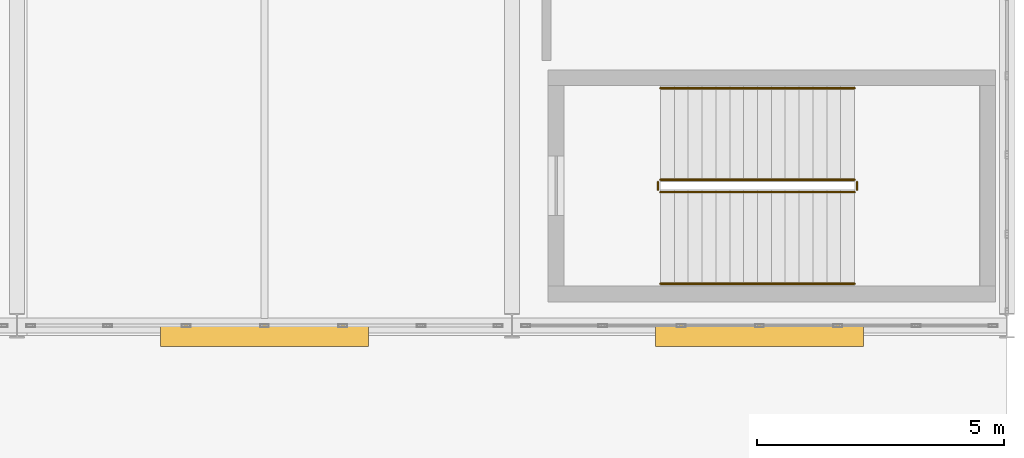
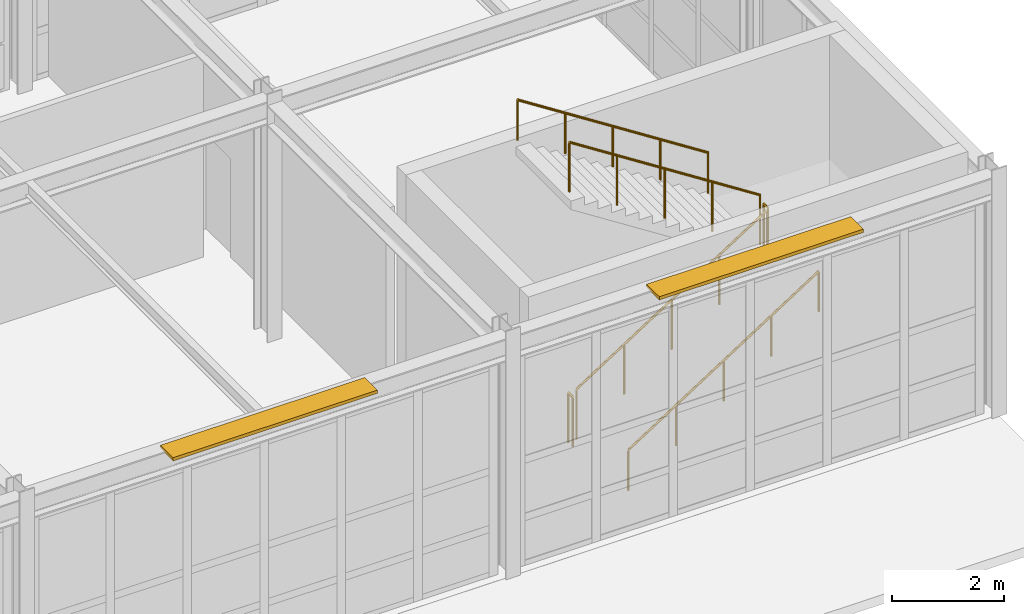
# One storey, part 205 of 210: 6 railings, 2 shading devices.
"""IFC4 building model written with IfcOpenShell, lengths in metres."""

from ifc_helpers import new_model, si_unit, direction, frame, origin, origin_2d, place, context, subcontext, project, spatial, rectangle, circle, extrude, material, type_object, element, save


model = new_model("IFC4")

# Units and contexts
model_context = context("Model", 3, precision=1e-05, world=origin(), true_north=direction((0.0, 1.0)))
body_context = subcontext(model_context, "Body", "Model", "MODEL_VIEW")
ifc_project = project(units=[si_unit("LENGTHUNIT", "METRE"), si_unit("AREAUNIT", "SQUARE_METRE"), si_unit("VOLUMEUNIT", "CUBIC_METRE"), si_unit("PLANEANGLEUNIT", "RADIAN"), si_unit("MASSUNIT", "GRAM", prefix="KILO")], contexts=[model_context])

# Site, building, storey
site_placement = place(None, origin())
site = spatial("IfcSite", under=ifc_project, at=site_placement, CompositionType="ELEMENT")
building_placement = place(site_placement, origin())
building = spatial("IfcBuilding", under=site, at=building_placement, Name="Kaldris Quays Convention Centre", CompositionType="ELEMENT")
storey_placement = place(building_placement, frame((0.0, 0.0, 6.0)))
storey = spatial("IfcBuildingStorey", under=building, at=storey_placement, Name="L01", CompositionType="ELEMENT", Elevation=6.0)

# Railings
ifc_material_1 = material(Name="Steel S355J2", Category="steel")
railing_type_1 = type_object("IfcRailingType", Name="INTERIOR GUARDRAIL GR01", PredefinedType="GUARDRAIL", material=ifc_material_1)
railing_1_placement = place(storey_placement, frame((197.0, 22.699951171875, 0.179931640625)))
element("IfcRailing", 1, at=railing_1_placement, inside=storey, type_object=railing_type_1, Name="L01 ST16 Stair Guardrail 1", PredefinedType="GUARDRAIL", context=body_context, shape_type="SweptSolid", body=[
    extrude(circle(Radius=0.02392578125, at=origin_2d()), frame((0.0, 0.0, 1.076171875), z_axis=(0.841171666519, 0.0, 0.540768182723), x_axis=(0.0, 1.0, 0.0)), (0.0, 0.0, 1.0), 4.66015625),
    extrude(circle(Radius=0.02099609375, at=origin_2d()), origin(), (0.0, 0.0, 1.0), 1.052001953125),
    extrude(circle(Radius=0.02099609375, at=origin_2d()), frame((0.97998046875, 0.0, 0.6298828125)), (0.0, 0.0, 1.0), 1.052001953125),
    extrude(circle(Radius=0.02099609375, at=origin_2d()), frame((1.9599609375, 0.0, 1.260009765625)), (0.0, 0.0, 1.0), 1.052001953125),
    extrude(circle(Radius=0.02099609375, at=origin_2d()), frame((2.93994140625, 0.0, 1.89013671875)), (0.0, 0.0, 1.0), 1.052001953125),
    extrude(circle(Radius=0.02099609375, at=origin_2d()), frame((3.919921875, 0.0, 2.52001953125)), (0.0, 0.0, 1.0), 1.052001953125),
])
railing_2_placement = place(storey_placement, frame((200.969970703125, 22.75, 2.699951171875)))
element("IfcRailing", 2, at=railing_2_placement, inside=storey, type_object=railing_type_1, Name="L01 ST16 Stair Guardrail 2", PredefinedType="GUARDRAIL", context=body_context, shape_type="SweptSolid", body=[
    extrude(circle(Radius=0.02392578125, at=origin_2d()), frame((0.0, 0.0, 1.076171875), z_axis=(0.0, 1.0, 0.0), x_axis=(-1.0, 0.0, 0.0)), (0.0, 0.0, 1.0), 0.14990234375),
    extrude(circle(Radius=0.02099609375, at=origin_2d()), origin(), (0.0, 0.0, 1.0), 1.052001953125),
    extrude(circle(Radius=0.02099609375, at=origin_2d()), frame((0.0, 0.14990234375, 0.0)), (0.0, 0.0, 1.0), 1.052001953125),
])
railing_3_placement = place(storey_placement, frame((200.919921875, 22.949951171875, 2.8798828125)))
element("IfcRailing", 3, at=railing_3_placement, inside=storey, type_object=railing_type_1, Name="L01 ST16 Stair Guardrail 3", PredefinedType="GUARDRAIL", context=body_context, shape_type="SweptSolid", body=[
    extrude(circle(Radius=0.02392578125, at=origin_2d()), frame((0.0, 0.0, 1.076171875), z_axis=(-0.841171666519, 0.0, 0.540768182723), x_axis=(0.0, -1.0, 0.0)), (0.0, 0.0, 1.0), 4.66015625),
    extrude(circle(Radius=0.02099609375, at=origin_2d()), origin(), (0.0, 0.0, 1.0), 1.052001953125),
    extrude(circle(Radius=0.02099609375, at=origin_2d()), frame((-0.97998046875, 0.0, 0.6298828125)), (0.0, 0.0, 1.0), 1.052001953125),
    extrude(circle(Radius=0.02099609375, at=origin_2d()), frame((-1.9599609375, 0.0, 1.260009765625)), (0.0, 0.0, 1.0), 1.052001953125),
    extrude(circle(Radius=0.02099609375, at=origin_2d()), frame((-2.93994140625, 0.0, 1.89013671875)), (0.0, 0.0, 1.0), 1.052001953125),
    extrude(circle(Radius=0.02099609375, at=origin_2d()), frame((-3.919921875, 0.0, 2.52001953125)), (0.0, 0.0, 1.0), 1.052001953125),
])
railing_4_placement = place(storey_placement, frame((196.949951171875, 22.75, 0.0)))
element("IfcRailing", 4, at=railing_4_placement, inside=storey, type_object=railing_type_1, Name="L01 ST16 Stair Guardrail 4", PredefinedType="GUARDRAIL", context=body_context, shape_type="SweptSolid", body=[
    extrude(circle(Radius=0.02392578125, at=origin_2d()), frame((0.0, 0.0, 1.076171875), z_axis=(0.0, 1.0, 0.0), x_axis=(-1.0, 0.0, 0.0)), (0.0, 0.0, 1.0), 0.14990234375),
    extrude(circle(Radius=0.02099609375, at=origin_2d()), origin(), (0.0, 0.0, 1.0), 1.052001953125),
    extrude(circle(Radius=0.02099609375, at=origin_2d()), frame((0.0, 0.14990234375, 0.0)), (0.0, 0.0, 1.0), 1.052001953125),
])

# Shading devices
ifc_material_2 = material(Name="Anodized aluminium AW-6060", Category="aluminium")
shading_device_type = type_object("IfcShadingDeviceType", Name="SOLAR SHADING LOUVRE SH02", PredefinedType="USERDEFINED", material=ifc_material_2)
for number, where, z_axis, x_axis, name in (
    (5, (189.0, 19.800048828125, 5.125), (0.0, 0.0, 1.0), (1.0, 0.0, 0.0), "L01 Riverfront Solar Louvre 4"),
    (6, (199.0, 19.800048828125, 5.125), (0.0, 0.0, 1.0), (1.0, 0.0, 0.0), "L01 Riverfront Solar Louvre 5"),
):
    element("IfcShadingDevice", number, at=place(storey_placement, frame(where, z_axis=z_axis, x_axis=x_axis)), inside=storey, type_object=shading_device_type, Name=name, ObjectType="LOUVRE", PredefinedType="USERDEFINED", context=body_context, shape_type="SweptSolid", body=[
        extrude(rectangle(XDim=4.199951171875, YDim=0.449951171875, at=origin_2d()), origin(), (0.0, 0.0, 1.0), 0.070068359375),
    ])

# Railings
ifc_material_3 = material(Name="Stainless steel 1.4301", Category="steel")
railing_type_2 = type_object("IfcRailingType", Name="STAIR HANDRAIL HR01", PredefinedType="HANDRAIL", material=ifc_material_3)
railing_5_placement = place(storey_placement, frame((197.0, 20.85009765625, 0.179931640625)))
element("IfcRailing", 7, at=railing_5_placement, inside=storey, type_object=railing_type_2, Name="L01 ST16 Flight Handrail 1", PredefinedType="HANDRAIL", context=body_context, shape_type="SweptSolid", body=[
    extrude(circle(Radius=0.02392578125, at=origin_2d()), frame((0.0, 0.0, 0.8759765625), z_axis=(0.841171666519, 0.0, 0.540768182723), x_axis=(0.0, 1.0, 0.0)), (0.0, 0.0, 1.0), 4.66015625),
    extrude(circle(Radius=0.02099609375, at=origin_2d()), origin(), (0.0, 0.0, 1.0), 0.851806640625),
    extrude(circle(Radius=0.02099609375, at=origin_2d()), frame((0.97998046875, 0.0, 0.6298828125)), (0.0, 0.0, 1.0), 0.851806640625),
    extrude(circle(Radius=0.02099609375, at=origin_2d()), frame((1.9599609375, 0.0, 1.260009765625)), (0.0, 0.0, 1.0), 0.851806640625),
    extrude(circle(Radius=0.02099609375, at=origin_2d()), frame((2.93994140625, 0.0, 1.89013671875)), (0.0, 0.0, 1.0), 0.851806640625),
    extrude(circle(Radius=0.02099609375, at=origin_2d()), frame((3.919921875, 0.0, 2.52001953125)), (0.0, 0.0, 1.0), 0.851806640625),
])
railing_6_placement = place(storey_placement, frame((200.919921875, 24.800048828125, 2.8798828125)))
element("IfcRailing", 8, at=railing_6_placement, inside=storey, type_object=railing_type_2, Name="L01 ST16 Flight Handrail 2", PredefinedType="HANDRAIL", context=body_context, shape_type="SweptSolid", body=[
    extrude(circle(Radius=0.02392578125, at=origin_2d()), frame((0.0, 0.0, 0.8759765625), z_axis=(-0.841171666519, 0.0, 0.540768182723), x_axis=(0.0, -1.0, 0.0)), (0.0, 0.0, 1.0), 4.66015625),
    extrude(circle(Radius=0.02099609375, at=origin_2d()), origin(), (0.0, 0.0, 1.0), 0.851806640625),
    extrude(circle(Radius=0.02099609375, at=origin_2d()), frame((-0.97998046875, 0.0, 0.6298828125)), (0.0, 0.0, 1.0), 0.851806640625),
    extrude(circle(Radius=0.02099609375, at=origin_2d()), frame((-1.9599609375, 0.0, 1.260009765625)), (0.0, 0.0, 1.0), 0.851806640625),
    extrude(circle(Radius=0.02099609375, at=origin_2d()), frame((-2.93994140625, 0.0, 1.89013671875)), (0.0, 0.0, 1.0), 0.851806640625),
    extrude(circle(Radius=0.02099609375, at=origin_2d()), frame((-3.919921875, 0.0, 2.52001953125)), (0.0, 0.0, 1.0), 0.851806640625),
])

save(model, "model.ifc")
